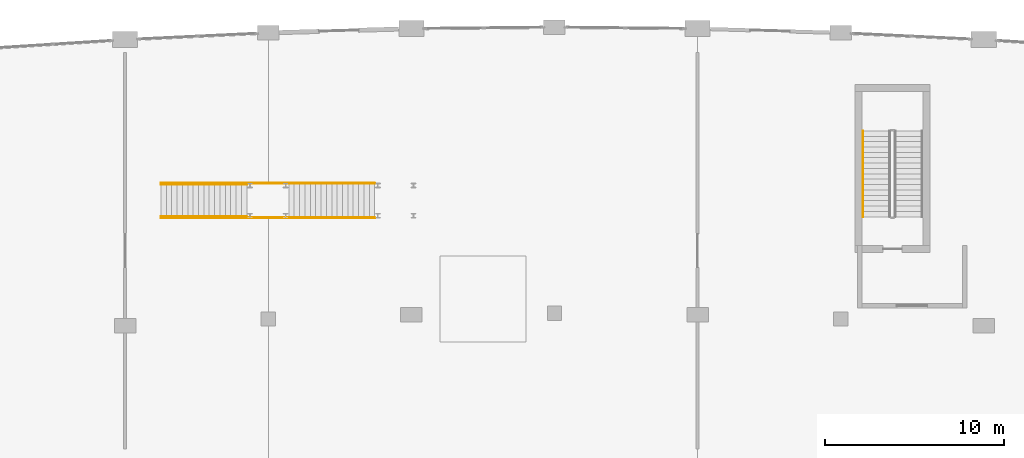
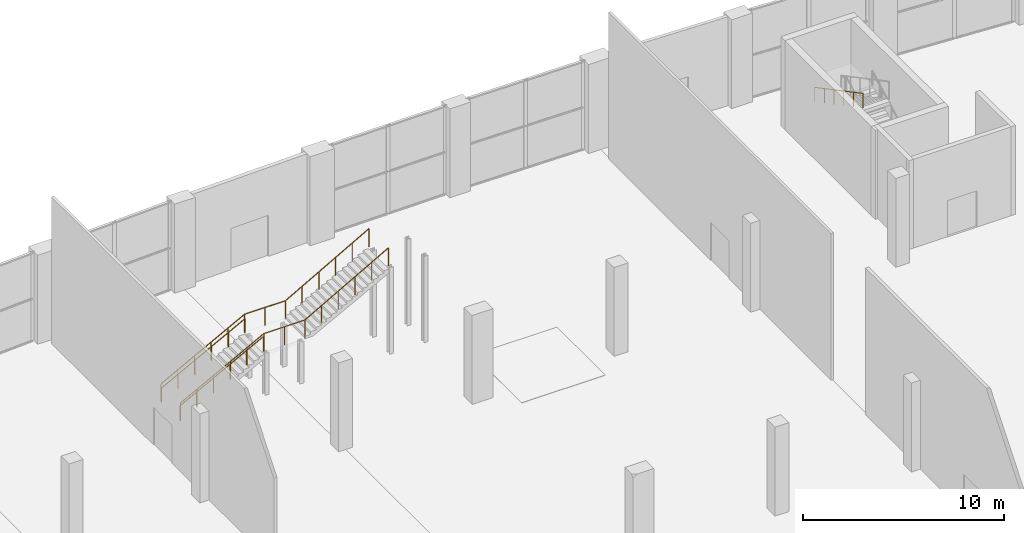
# One storey, part 79 of 86: 5 railings.
"""IFC4 building model written with IfcOpenShell, lengths in metres."""

from ifc_helpers import new_model, si_unit, direction, frame, origin, origin_2d, place, context, subcontext, project, spatial, circle, extrude, material, type_object, element, save


model = new_model("IFC4")

# Units and contexts
model_context = context("Model", 3, precision=1e-05, world=origin(), true_north=direction((0.0, 1.0)))
body_context = subcontext(model_context, "Body", "Model", "MODEL_VIEW")
ifc_project = project(units=[si_unit("LENGTHUNIT", "METRE"), si_unit("AREAUNIT", "SQUARE_METRE"), si_unit("VOLUMEUNIT", "CUBIC_METRE"), si_unit("PLANEANGLEUNIT", "RADIAN"), si_unit("MASSUNIT", "GRAM", prefix="KILO")], contexts=[model_context])

# Site, building, storey
site_placement = place(None, origin())
site = spatial("IfcSite", under=ifc_project, at=site_placement, CompositionType="ELEMENT")
building_placement = place(site_placement, origin())
building = spatial("IfcBuilding", under=site, at=building_placement, Name="Kenh Van Central Station", CompositionType="ELEMENT")
storey_placement = place(building_placement, origin())
storey = spatial("IfcBuildingStorey", under=building, at=storey_placement, Name="L00", CompositionType="ELEMENT", Elevation=0.0)

# Railings
ifc_material = material(Name="Champagne anodised aluminium", Category="aluminium")
railing_type_1 = type_object("IfcRailingType", Name="RAIL-CORE-HND90", PredefinedType="HANDRAIL", material=ifc_material)
railing_1_placement = place(storey_placement, frame((105.25, 109.39990234375, 2.85888671875)))
element("IfcRailing", 1, at=railing_1_placement, inside=storey, type_object=railing_type_1, Name="L00 ST-08 stair handrail 2", PredefinedType="HANDRAIL", context=body_context, shape_type="SweptSolid", body=[
    extrude(circle(Radius=0.02392578125, at=origin_2d()), frame((0.0, 0.0, 0.8759765625), z_axis=(0.0, -0.883792290195, 0.467879458614), x_axis=(1.0, 0.0, 0.0)), (0.0, 0.0, 1.0), 5.430908203125),
    extrude(circle(Radius=0.02099609375, at=origin_2d()), origin(), (0.0, 0.0, 1.0), 0.851806640625),
    extrude(circle(Radius=0.02099609375, at=origin_2d()), frame((0.0, -0.9599609375, 0.50830078125)), (0.0, 0.0, 1.0), 0.851806640625),
    extrude(circle(Radius=0.02099609375, at=origin_2d()), frame((0.0, -1.919921875, 1.016357421875)), (0.0, 0.0, 1.0), 0.851806640625),
    extrude(circle(Radius=0.02099609375, at=origin_2d()), frame((0.0, -2.8798828125, 1.524658203125)), (0.0, 0.0, 1.0), 0.851806640625),
    extrude(circle(Radius=0.02099609375, at=origin_2d()), frame((0.0, -3.83984375, 2.03271484375)), (0.0, 0.0, 1.0), 0.851806640625),
    extrude(circle(Radius=0.02099609375, at=origin_2d()), frame((0.0, -4.7998046875, 2.541015625)), (0.0, 0.0, 1.0), 0.851806640625),
])
for number, where, name in (
    (2, (66.0, 104.594970703125, 0.158935546875), "Island Platform 2 Central Transfer Stair handrail 1"),
    (3, (66.0, 106.405029296875, 0.158935546875), "Island Platform 2 Central Transfer Stair handrail 2"),
):
    element("IfcRailing", number, at=place(storey_placement, frame(where)), inside=storey, type_object=railing_type_1, Name=name, PredefinedType="HANDRAIL", context=body_context, shape_type="SweptSolid", body=[
        extrude(circle(Radius=0.02392578125, at=origin_2d()), frame((0.0, 0.0, 0.8759765625), z_axis=(0.883802130504, 0.0, 0.467860870469), x_axis=(0.0, 1.0, 0.0)), (0.0, 0.0, 1.0), 5.43115234375),
        extrude(circle(Radius=0.02099609375, at=origin_2d()), origin(), (0.0, 0.0, 1.0), 0.851806640625),
        extrude(circle(Radius=0.02099609375, at=origin_2d()), frame((0.9599609375, 0.0, 0.50830078125)), (0.0, 0.0, 1.0), 0.851806640625),
        extrude(circle(Radius=0.02099609375, at=origin_2d()), frame((1.919921875, 0.0, 1.016357421875)), (0.0, 0.0, 1.0), 0.851806640625),
        extrude(circle(Radius=0.02099609375, at=origin_2d()), frame((2.880126953125, 0.0, 1.524658203125)), (0.0, 0.0, 1.0), 0.851806640625),
        extrude(circle(Radius=0.02099609375, at=origin_2d()), frame((3.840087890625, 0.0, 2.03271484375)), (0.0, 0.0, 1.0), 0.851806640625),
        extrude(circle(Radius=0.02099609375, at=origin_2d()), frame((4.800048828125, 0.0, 2.541015625)), (0.0, 0.0, 1.0), 0.851806640625),
    ])
railing_type_2 = type_object("IfcRailingType", Name="RAIL-PUB-BAL112", PredefinedType="BALUSTRADE", material=ifc_material)
railing_2_placement = place(storey_placement, frame((66.0, 104.534912109375, 0.158935546875)))
element("IfcRailing", 4, at=railing_2_placement, inside=storey, type_object=railing_type_2, Name="Island Platform 2 Central Transfer Stair balustrade 1", PredefinedType="BALUSTRADE", context=body_context, shape_type="SweptSolid", body=[
    extrude(circle(Radius=0.02392578125, at=origin_2d()), frame((0.0, 0.0, 1.09619140625), z_axis=(0.883802130504, 0.0, 0.467860870469), x_axis=(0.0, 1.0, 0.0)), (0.0, 0.0, 1.0), 5.43115234375),
    extrude(circle(Radius=0.02392578125, at=origin_2d()), frame((4.800048828125, 0.0, 3.63720703125), z_axis=(1.0, 0.0, 0.0), x_axis=(0.0, 1.0, 0.0)), (0.0, 0.0, 1.0), 2.349853515625),
    extrude(circle(Radius=0.02392578125, at=origin_2d()), frame((7.14990234375, 0.0, 3.63720703125), z_axis=(0.871581456561, 0.0, 0.490250716042), x_axis=(0.0, 1.0, 0.0)), (0.0, 0.0, 1.0), 5.50732421875),
    extrude(circle(Radius=0.02099609375, at=origin_2d()), origin(), (0.0, 0.0, 1.0), 1.072021484375),
    extrude(circle(Radius=0.02099609375, at=origin_2d()), frame((0.9599609375, 0.0, 0.50830078125)), (0.0, 0.0, 1.0), 1.072021484375),
    extrude(circle(Radius=0.02099609375, at=origin_2d()), frame((1.919921875, 0.0, 1.016357421875)), (0.0, 0.0, 1.0), 1.072021484375),
    extrude(circle(Radius=0.02099609375, at=origin_2d()), frame((2.880126953125, 0.0, 1.524658203125)), (0.0, 0.0, 1.0), 1.072021484375),
    extrude(circle(Radius=0.02099609375, at=origin_2d()), frame((3.840087890625, 0.0, 2.03271484375)), (0.0, 0.0, 1.0), 1.072021484375),
    extrude(circle(Radius=0.02099609375, at=origin_2d()), frame((4.800048828125, 0.0, 2.541015625)), (0.0, 0.0, 1.0), 1.072021484375),
    extrude(circle(Radius=0.02099609375, at=origin_2d()), frame((5.97509765625, 0.0, 2.541015625)), (0.0, 0.0, 1.0), 1.072021484375),
    extrude(circle(Radius=0.02099609375, at=origin_2d()), frame((7.14990234375, 0.0, 2.541015625)), (0.0, 0.0, 1.0), 1.072021484375),
    extrude(circle(Radius=0.02099609375, at=origin_2d()), frame((8.10986328125, 0.0, 3.0810546875)), (0.0, 0.0, 1.0), 1.072021484375),
    extrude(circle(Radius=0.02099609375, at=origin_2d()), frame((9.06982421875, 0.0, 3.62109375)), (0.0, 0.0, 1.0), 1.072021484375),
    extrude(circle(Radius=0.02099609375, at=origin_2d()), frame((10.030029296875, 0.0, 4.160888671875)), (0.0, 0.0, 1.0), 1.072021484375),
    extrude(circle(Radius=0.02099609375, at=origin_2d()), frame((10.989990234375, 0.0, 4.700927734375)), (0.0, 0.0, 1.0), 1.072021484375),
    extrude(circle(Radius=0.02099609375, at=origin_2d()), frame((11.949951171875, 0.0, 5.240966796875)), (0.0, 0.0, 1.0), 1.072021484375),
])
railing_3_placement = place(storey_placement, frame((66.0, 106.465087890625, 0.158935546875)))
element("IfcRailing", 5, at=railing_3_placement, inside=storey, type_object=railing_type_2, Name="Island Platform 2 Central Transfer Stair balustrade 2", PredefinedType="BALUSTRADE", context=body_context, shape_type="SweptSolid", body=[
    extrude(circle(Radius=0.02392578125, at=origin_2d()), frame((0.0, 0.0, 1.09619140625), z_axis=(0.883802130504, 0.0, 0.467860870469), x_axis=(0.0, 1.0, 0.0)), (0.0, 0.0, 1.0), 5.43115234375),
    extrude(circle(Radius=0.02392578125, at=origin_2d()), frame((4.800048828125, 0.0, 3.63720703125), z_axis=(1.0, 0.0, 0.0), x_axis=(0.0, 1.0, 0.0)), (0.0, 0.0, 1.0), 2.349853515625),
    extrude(circle(Radius=0.02392578125, at=origin_2d()), frame((7.14990234375, 0.0, 3.63720703125), z_axis=(0.871581456561, 0.0, 0.490250716042), x_axis=(0.0, 1.0, 0.0)), (0.0, 0.0, 1.0), 5.50732421875),
    extrude(circle(Radius=0.02099609375, at=origin_2d()), origin(), (0.0, 0.0, 1.0), 1.072021484375),
    extrude(circle(Radius=0.02099609375, at=origin_2d()), frame((0.9599609375, 0.0, 0.50830078125)), (0.0, 0.0, 1.0), 1.072021484375),
    extrude(circle(Radius=0.02099609375, at=origin_2d()), frame((1.919921875, 0.0, 1.016357421875)), (0.0, 0.0, 1.0), 1.072021484375),
    extrude(circle(Radius=0.02099609375, at=origin_2d()), frame((2.880126953125, 0.0, 1.524658203125)), (0.0, 0.0, 1.0), 1.072021484375),
    extrude(circle(Radius=0.02099609375, at=origin_2d()), frame((3.840087890625, 0.0, 2.03271484375)), (0.0, 0.0, 1.0), 1.072021484375),
    extrude(circle(Radius=0.02099609375, at=origin_2d()), frame((4.800048828125, 0.0, 2.541015625)), (0.0, 0.0, 1.0), 1.072021484375),
    extrude(circle(Radius=0.02099609375, at=origin_2d()), frame((5.97509765625, 0.0, 2.541015625)), (0.0, 0.0, 1.0), 1.072021484375),
    extrude(circle(Radius=0.02099609375, at=origin_2d()), frame((7.14990234375, 0.0, 2.541015625)), (0.0, 0.0, 1.0), 1.072021484375),
    extrude(circle(Radius=0.02099609375, at=origin_2d()), frame((8.10986328125, 0.0, 3.0810546875)), (0.0, 0.0, 1.0), 1.072021484375),
    extrude(circle(Radius=0.02099609375, at=origin_2d()), frame((9.06982421875, 0.0, 3.62109375)), (0.0, 0.0, 1.0), 1.072021484375),
    extrude(circle(Radius=0.02099609375, at=origin_2d()), frame((10.030029296875, 0.0, 4.160888671875)), (0.0, 0.0, 1.0), 1.072021484375),
    extrude(circle(Radius=0.02099609375, at=origin_2d()), frame((10.989990234375, 0.0, 4.700927734375)), (0.0, 0.0, 1.0), 1.072021484375),
    extrude(circle(Radius=0.02099609375, at=origin_2d()), frame((11.949951171875, 0.0, 5.240966796875)), (0.0, 0.0, 1.0), 1.072021484375),
])

save(model, "model.ifc")
